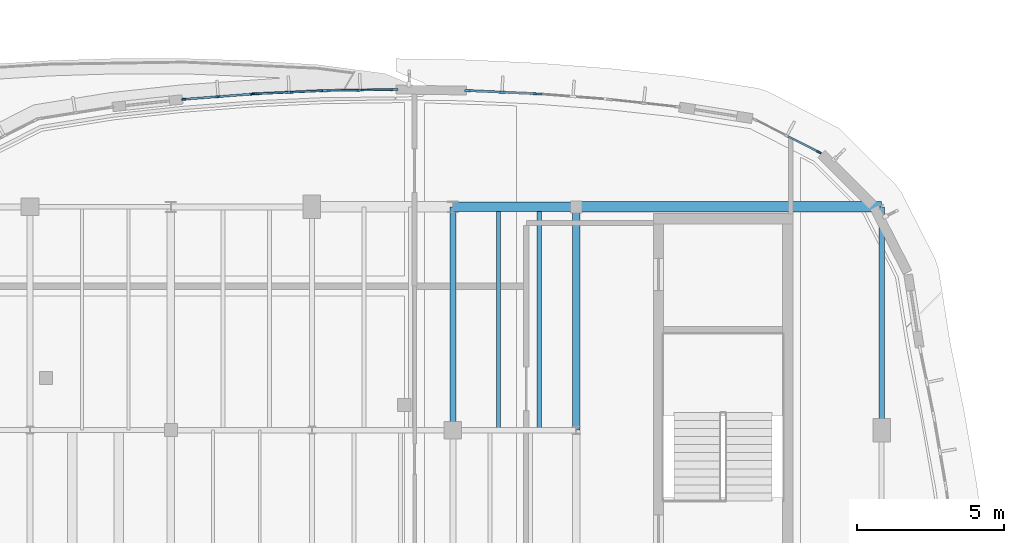
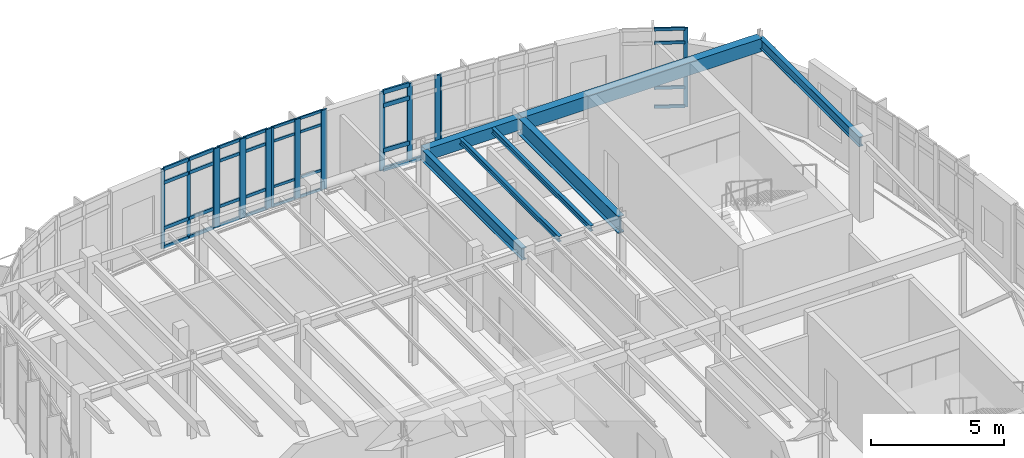
# One storey, part 55 of 111: 47 members, 7 beams, 6 elements without a shape of their own.
"""IFC4 building model written with IfcOpenShell, lengths in metres."""

import ifcopenshell
import ifcopenshell.guid

model = None  # the IFC model being written
_history = None  # IfcOwnerHistory: only IFC2X3 demands one
_inside = {}  # id of a spatial element -> (the spatial element, [elements in it])
_under = {}  # id of a project, library or spatial element -> (it, [spatial elements below it])
_declared = {}  # id of a project -> (the project, [libraries it declares])
_typed = {}  # id of a type object -> (the type object, [elements of that type])
_made_of = {}  # id of a material, layer set ... -> (it, [elements and type objects made of it])


def new_model(schema):
    """Start an empty IFC model of exactly this schema.

    Asked for "IFC4X3", IfcOpenShell would pick the latest addendum, in which some entities
    have other attributes; the version numbers below select the first issue.
    IFC2X3 requires an IfcOwnerHistory on every rooted entity: one is made here for all.
    """
    global model, _history
    if schema == "IFC4X3":
        model = ifcopenshell.file(schema_version=(4, 3, 0, 0))
    else:
        model = ifcopenshell.file(schema=schema)
    _inside.clear()
    _under.clear()
    _declared.clear()
    _typed.clear()
    _made_of.clear()
    _history = None
    if model.schema == "IFC2X3":
        org = make("IfcOrganization", Name="unknown")
        user = make(
            "IfcPersonAndOrganization",
            ThePerson=make("IfcPerson", FamilyName="unknown"),
            TheOrganization=org,
        )
        app = make(
            "IfcApplication",
            ApplicationDeveloper=org,
            Version="unknown",
            ApplicationFullName="unknown",
            ApplicationIdentifier="unknown",
        )
        _history = make(
            "IfcOwnerHistory",
            OwningUser=user,
            OwningApplication=app,
            ChangeAction="ADDED",
            CreationDate=0,
        )
    return model


def make(cls, **values):
    """One entity of the class cls with the attributes given. An attribute that is None is left unset."""
    return model.create_entity(
        cls, **{name: value for name, value in values.items() if value is not None}
    )


def rooted(cls, **values):
    """An entity with a GlobalId (a new one), such as an element, a storey or a relation."""
    return make(cls, GlobalId=ifcopenshell.guid.new(), OwnerHistory=_history, **values)


def si_unit(unit_type, name, prefix=None):
    """IfcSIUnit, for example si_unit("LENGTHUNIT", "METRE", prefix="MILLI")."""
    return make("IfcSIUnit", UnitType=unit_type, Prefix=prefix, Name=name)


def assignment(units):
    """IfcUnitAssignment: the units of a project."""
    return None if units is None else make("IfcUnitAssignment", Units=units)


def point(xyz):
    """IfcCartesianPoint."""
    return None if xyz is None else make("IfcCartesianPoint", Coordinates=xyz)


def direction(xyz):
    """IfcDirection."""
    return None if xyz is None else make("IfcDirection", DirectionRatios=xyz)


def frame(location, z_axis=None, x_axis=None):
    """IfcAxis2Placement3D, a coordinate frame: its origin and axes. An axis left out is left unset."""
    return make(
        "IfcAxis2Placement3D",
        Location=point(location),
        Axis=direction(z_axis),
        RefDirection=direction(x_axis),
    )


def frame_2d(location, x_axis=None):
    """IfcAxis2Placement2D, a coordinate frame in the plane: its origin and x axis."""
    return make(
        "IfcAxis2Placement2D", Location=point(location), RefDirection=direction(x_axis)
    )


def origin():
    """The frame at (0, 0, 0) with its axes left unset."""
    return frame((0.0, 0.0, 0.0))


def origin_2d():
    """The frame at (0, 0) in the plane with its x axis left unset."""
    return frame_2d((0.0, 0.0))


def place(relative_to, where):
    """IfcLocalPlacement: puts the frame where relative to a parent placement (None: the world)."""
    return make(
        "IfcLocalPlacement", PlacementRelTo=relative_to, RelativePlacement=where
    )


def context(
    kind, dimensions, precision=None, world=None, true_north=None, identifier=None
):
    """IfcGeometricRepresentationContext, for example the 3D "Model" context."""
    return make(
        "IfcGeometricRepresentationContext",
        ContextIdentifier=identifier,
        ContextType=kind,
        CoordinateSpaceDimension=dimensions,
        Precision=precision,
        WorldCoordinateSystem=world,
        TrueNorth=true_north,
    )


def subcontext(parent, identifier, kind, view, scale=None):
    """IfcGeometricRepresentationSubContext, for example "Body" below "Model"."""
    return make(
        "IfcGeometricRepresentationSubContext",
        ContextIdentifier=identifier,
        ContextType=kind,
        ParentContext=parent,
        TargetScale=scale,
        TargetView=view,
    )


def project(units=None, contexts=None):
    """IfcProject with its units and contexts."""
    return rooted(
        "IfcProject",
        Name="project",
        RepresentationContexts=contexts,
        UnitsInContext=assignment(units),
    )


def spatial(cls, under=None, at=None, **own):
    """A site, building, storey or space (cls), placed at a placement, below another one or the project."""
    s = rooted(cls, ObjectPlacement=at, **own)
    if under is not None:
        _under.setdefault(under.id(), (under, []))[1].append(s)
    return s


def profile(cls, at=None, kind="AREA", **sizes):
    """A parametric profile (cls). Its sizes go by their IFC names, for example OverallWidth=200.0."""
    return make(cls, ProfileType=kind, Position=at, **sizes)


def rectangle(**sizes):
    """IfcRectangleProfileDef."""
    return profile("IfcRectangleProfileDef", **sizes)


def i_section(**sizes):
    """IfcIShapeProfileDef."""
    return profile("IfcIShapeProfileDef", **sizes)


def extrude(swept, where, along, depth):
    """IfcExtrudedAreaSolid: the profile swept, set in the frame where, extruded along a direction by depth."""
    return make(
        "IfcExtrudedAreaSolid",
        SweptArea=swept,
        Position=where,
        ExtrudedDirection=direction(along),
        Depth=depth,
    )


def shape(context_of_items, identifier, shape_type, items):
    """IfcShapeRepresentation: the items that make up one representation, for example the "Body"."""
    return make(
        "IfcShapeRepresentation",
        ContextOfItems=context_of_items,
        RepresentationIdentifier=identifier,
        RepresentationType=shape_type,
        Items=items,
    )


def material(Name=None, Category=None):
    """IfcMaterial."""
    return make("IfcMaterial", Name=Name, Category=Category)


def material_profile(
    of_material, cross_section, Name=None, Category=None, Priority=None
):
    """IfcMaterialProfile: a cross section and its material."""
    return make(
        "IfcMaterialProfile",
        Name=Name,
        Material=of_material,
        Profile=cross_section,
        Priority=Priority,
        Category=Category,
    )


def profile_set(profiles, Name=None, composite=None):
    """IfcMaterialProfileSet."""
    return make(
        "IfcMaterialProfileSet",
        Name=Name,
        MaterialProfiles=profiles,
        CompositeProfile=composite,
    )


def made_of(thing, what):
    """Note that an element or type object is made of a material, layer set ...; save() writes the relation."""
    if what is not None:
        _made_of.setdefault(what.id(), (what, []))[1].append(thing)
    return thing


def type_object(cls, material=None, **own):
    """A type object (cls), such as IfcWallType, which elements share."""
    return made_of(rooted(cls, **own), material)


def element(
    cls,
    number,
    at=None,
    inside=None,
    cuts=None,
    type_object=None,
    material=None,
    context=None,
    identifier="Body",
    shape_type=None,
    held_by="IfcProductDefinitionShape",
    body=None,
    shapes=None,
    **own,
):
    """One element of the class cls, such as IfcWall. Its Tag is "e" and its number.

    at: its placement. inside: the storey or other place that contains it. cuts: it is an
    opening in that element (IfcRelVoidsElement). A single representation is given by context,
    identifier, shape_type and body (its items); several are given by shapes. held_by: the class
    of the entity that holds the representations. save() writes the other relations.
    """
    e = rooted(cls, Tag="e%d" % number, ObjectPlacement=at, **own)
    if body is not None:
        shapes = [shape(context, identifier, shape_type, body)]
    if shapes is not None:
        e.Representation = make(held_by, Representations=shapes)
    if inside is not None:
        _inside.setdefault(inside.id(), (inside, []))[1].append(e)
    if cuts is not None:
        rooted(
            "IfcRelVoidsElement", RelatingBuildingElement=cuts, RelatedOpeningElement=e
        )
    if type_object is not None:
        _typed.setdefault(type_object.id(), (type_object, []))[1].append(e)
    return made_of(e, material)


def aggregate(whole, parts):
    """IfcRelAggregates: a whole, such as a stair, and the parts it consists of."""
    return rooted("IfcRelAggregates", RelatingObject=whole, RelatedObjects=parts)


def save(model, path):
    """Write the relations noted so far, then the file.

    IfcRelAggregates (storeys below a building ...), IfcRelContainedInSpatialStructure (elements
    in a storey), IfcRelDefinesByType, IfcRelAssociatesMaterial and IfcRelDeclares: one each for
    every whole, place, type object, material and project.
    """
    for whole, parts in _under.values():
        aggregate(whole, parts)
    for where, things in _inside.values():
        rooted(
            "IfcRelContainedInSpatialStructure",
            RelatedElements=things,
            RelatingStructure=where,
        )
    for kind, things in _typed.values():
        rooted("IfcRelDefinesByType", RelatedObjects=things, RelatingType=kind)
    for what, things in _made_of.values():
        rooted("IfcRelAssociatesMaterial", RelatedObjects=things, RelatingMaterial=what)
    for by, libraries in _declared.values():
        rooted("IfcRelDeclares", RelatingContext=by, RelatedDefinitions=libraries)
    model.write(path)


model = new_model("IFC4")

# Units and contexts
model_context = context("Model", 3, precision=1e-05, world=origin(), true_north=direction((0.0, 1.0)))
body_context = subcontext(model_context, "Body", "Model", "MODEL_VIEW")
ifc_project = project(units=[si_unit("LENGTHUNIT", "METRE"), si_unit("AREAUNIT", "SQUARE_METRE"), si_unit("VOLUMEUNIT", "CUBIC_METRE"), si_unit("PLANEANGLEUNIT", "RADIAN"), si_unit("MASSUNIT", "GRAM", prefix="KILO")], contexts=[model_context])

# Site, building, storey
site_placement = place(None, origin())
site = spatial("IfcSite", under=ifc_project, at=site_placement, CompositionType="ELEMENT")
building_placement = place(site_placement, origin())
building = spatial("IfcBuilding", under=site, at=building_placement, Name="Corveleigh Park Community Centre", CompositionType="ELEMENT")
storey_placement = place(building_placement, frame((0.0, 0.0, 4.800048828125)))
storey = spatial("IfcBuildingStorey", under=building, at=storey_placement, Name="L01", CompositionType="ELEMENT", Elevation=4.800048828125)

# Beams
ifc_material_1 = material(Name="Steel S355", Category="steel")
ifc_material_profile_1 = material_profile(ifc_material_1, i_section(OverallWidth=0.14599609375, OverallDepth=0.25146484375, WebThickness=0.006103515625, FlangeThickness=0.008544921875, at=origin_2d()), Name="UKB 254x146x31", Category="steel")
ifc_profile_set_1 = profile_set([ifc_material_profile_1], Name="Steel S355")
beam_type_1 = type_object("IfcBeamType", Name="BM-STL-UKB254x31", PredefinedType="JOIST", material=ifc_profile_set_1)
for number, where, z_axis, x_axis, name in (
    (1, (155.35400390625, 96.60498046875, 3.486328125), (0.0, 1.0, 0.0), (-1.0, 0.0, 0.0), "Secondary floor joist"),
    (2, (156.739990234375, 96.60498046875, 3.486328125), (0.0, 1.0, 0.0), (-1.0, 0.0, 0.0), "Secondary floor joist"),
):
    element("IfcBeam", number, at=place(storey_placement, frame(where, z_axis=z_axis, x_axis=x_axis)), inside=storey, type_object=beam_type_1, Name=name, PredefinedType="JOIST", context=body_context, shape_type="SweptSolid", body=[
        extrude(i_section(OverallWidth=0.14599609375, OverallDepth=0.25146484375, WebThickness=0.006103515625, FlangeThickness=0.008544921875, at=origin_2d()), origin(), (0.0, 0.0, 1.0), 7.590087890625),
    ])
ifc_material_profile_2 = material_profile(ifc_material_1, i_section(OverallWidth=0.18994140625, OverallDepth=0.453369140625, WebThickness=0.008544921875, FlangeThickness=0.0126953125, at=origin_2d()), Name="UKB 457x191x67", Category="steel")
ifc_profile_set_2 = profile_set([ifc_material_profile_2], Name="Steel S355")
beam_type_2 = type_object("IfcBeamType", Name="BM-STL-UKB457x67", PredefinedType="BEAM", material=ifc_profile_set_2)
beam_1_placement = place(storey_placement, frame((168.39990234375, 96.60498046875, 3.38525390625), z_axis=(0.0, 1.0, 0.0), x_axis=(-1.0, 0.0, 0.0)))
element("IfcBeam", 3, at=beam_1_placement, inside=storey, type_object=beam_type_2, Name="V4 Girder Y", PredefinedType="BEAM", context=body_context, shape_type="SweptSolid", body=[
    extrude(i_section(OverallWidth=0.18994140625, OverallDepth=0.453369140625, WebThickness=0.008544921875, FlangeThickness=0.0126953125, at=origin_2d()), origin(), (0.0, 0.0, 1.0), 7.590087890625),
])
ifc_material_profile_3 = material_profile(ifc_material_1, i_section(OverallWidth=0.2099609375, OverallDepth=0.53662109375, WebThickness=0.0107421875, FlangeThickness=0.017333984375, at=origin_2d()), Name="UKB 533x210x101", Category="steel")
ifc_profile_set_3 = profile_set([ifc_material_profile_3], Name="Steel S355")
beam_type_3 = type_object("IfcBeamType", Name="BM-STL-UKB533x101", PredefinedType="BEAM", material=ifc_profile_set_3)
beam_2_placement = place(storey_placement, frame((153.800048828125, 96.60498046875, 3.34375), z_axis=(0.0, 1.0, 0.0), x_axis=(-1.0, 0.0, 0.0)))
element("IfcBeam", 4, at=beam_2_placement, inside=storey, type_object=beam_type_3, Name="V4 Girder Y", PredefinedType="BEAM", context=body_context, shape_type="SweptSolid", body=[
    extrude(i_section(OverallWidth=0.2099609375, OverallDepth=0.53662109375, WebThickness=0.0107421875, FlangeThickness=0.017333984375, at=origin_2d()), origin(), (0.0, 0.0, 1.0), 7.590087890625),
])
ifc_material_profile_4 = material_profile(ifc_material_1, i_section(OverallWidth=0.2666015625, OverallDepth=0.76220703125, WebThickness=0.014404296875, FlangeThickness=0.021484375, at=origin_2d()), Name="UKB 762x267x173", Category="steel")
ifc_profile_set_4 = profile_set([ifc_material_profile_4], Name="Steel S355")
beam_type_4 = type_object("IfcBeamType", Name="BM-STL-UKB762x173", PredefinedType="BEAM", material=ifc_profile_set_4)
beam_3_placement = place(storey_placement, frame((158.0, 96.60498046875, 3.23095703125), z_axis=(0.0, 1.0, 0.0), x_axis=(-1.0, 0.0, 0.0)))
element("IfcBeam", 5, at=beam_3_placement, inside=storey, type_object=beam_type_4, Name="V4 Girder Y", PredefinedType="BEAM", context=body_context, shape_type="SweptSolid", body=[
    extrude(i_section(OverallWidth=0.2666015625, OverallDepth=0.76220703125, WebThickness=0.014404296875, FlangeThickness=0.021484375, at=origin_2d()), origin(), (0.0, 0.0, 1.0), 7.590087890625),
])

# Curtain wall, member
ifc_material_2 = material(Name="Anodised aluminium 6063-T6", Category="aluminium")
curtain_wall_type = type_object("IfcCurtainWallType", Name="CW-SYS-V4-L01", PredefinedType="NOTDEFINED", material=ifc_material_2)
curtain_wall_1_placement = place(storey_placement, origin())
curtain_wall_1 = element("IfcCurtainWall", 6, at=curtain_wall_1_placement, inside=storey, type_object=curtain_wall_type, Name="V4 L01 Curtain Wall 277", PredefinedType="NOTDEFINED")
ifc_material_profile_5 = material_profile(ifc_material_2, rectangle(XDim=0.06005859375, YDim=0.159912109375, at=origin_2d()), Name="ALU-M60x160", Category="aluminium")
ifc_profile_set_5 = profile_set([ifc_material_profile_5], Name="Anodised aluminium 6063-T6")
member_type_1 = type_object("IfcMemberType", Name="CWM-60x160", PredefinedType="MULLION", material=ifc_profile_set_5)
member_1_placement = place(storey_placement, frame((166.25927734375, 106.064697265625, 0.0), z_axis=(0.0, 0.0, 1.0), x_axis=(0.454268707511, 0.89086471553, 0.0)))
member_1 = element("IfcMember", 7, at=member_1_placement, type_object=member_type_1, Name="CW08 mullion 3", PredefinedType="MULLION", context=body_context, shape_type="SweptSolid", body=[
    extrude(rectangle(XDim=0.06005859375, YDim=0.159912109375, at=origin_2d()), origin(), (0.0, 0.0, 1.0), 3.612060546875),
])

# Curtain wall, members
curtain_wall_2_placement = place(storey_placement, origin())
curtain_wall_2 = element("IfcCurtainWall", 8, at=curtain_wall_2_placement, inside=storey, type_object=curtain_wall_type, Name="V4 L01 Curtain Wall 283", PredefinedType="NOTDEFINED")
member_2_placement = place(storey_placement, frame((144.642822265625, 107.8642578125, 0.0), z_axis=(0.0, 0.0, 1.0), x_axis=(-0.076632801378, 0.997059383263, 0.0)))
member_2 = element("IfcMember", 9, at=member_2_placement, type_object=member_type_1, Name="CW08 mullion 1", PredefinedType="MULLION", context=body_context, shape_type="SweptSolid", body=[
    extrude(rectangle(XDim=0.06005859375, YDim=0.159912109375, at=origin_2d()), origin(), (0.0, 0.0, 1.0), 3.636962890625),
])
member_3_placement = place(storey_placement, frame((145.81005859375, 107.9541015625, 0.0), z_axis=(0.0, 0.0, 1.0), x_axis=(-0.076632801378, 0.997059383263, 0.0)))
member_3 = element("IfcMember", 10, at=member_3_placement, type_object=member_type_1, Name="CW08 mullion 2", PredefinedType="MULLION", context=body_context, shape_type="SweptSolid", body=[
    extrude(rectangle(XDim=0.06005859375, YDim=0.159912109375, at=origin_2d()), origin(), (0.0, 0.0, 1.0), 3.636962890625),
])
member_4_placement = place(storey_placement, frame((146.97705078125, 108.043701171875, 0.0), z_axis=(0.0, 0.0, 1.0), x_axis=(-0.076632801378, 0.997059383263, 0.0)))
member_4 = element("IfcMember", 11, at=member_4_placement, type_object=member_type_1, Name="CW08 mullion 3", PredefinedType="MULLION", context=body_context, shape_type="SweptSolid", body=[
    extrude(rectangle(XDim=0.06005859375, YDim=0.159912109375, at=origin_2d()), origin(), (0.0, 0.0, 1.0), 3.636962890625),
])

# Curtain wall, member
curtain_wall_3_placement = place(storey_placement, origin())
curtain_wall_3 = element("IfcCurtainWall", 12, at=curtain_wall_3_placement, inside=storey, type_object=curtain_wall_type, Name="V4 L01 Curtain Wall 279", PredefinedType="NOTDEFINED")
ifc_material_profile_6 = material_profile(ifc_material_2, rectangle(XDim=0.070068359375, YDim=0.199951171875, at=origin_2d()), Name="ALU-M70x200", Category="aluminium")
ifc_profile_set_6 = profile_set([ifc_material_profile_6], Name="Anodised aluminium 6063-T6")
member_type_2 = type_object("IfcMemberType", Name="CWM-70x200", PredefinedType="MULLION", material=ifc_profile_set_6)
member_5_placement = place(storey_placement, frame((156.727783203125, 108.043212890625, 0.0), z_axis=(0.0, 0.0, 1.0), x_axis=(0.076632801378, 0.997059383263, 0.0)))
member_5 = element("IfcMember", 13, at=member_5_placement, type_object=member_type_2, Name="CW08 mullion 1", PredefinedType="MULLION", context=body_context, shape_type="SweptSolid", body=[
    extrude(rectangle(XDim=0.070068359375, YDim=0.199951171875, at=origin_2d()), origin(), (0.0, 0.0, 1.0), 3.612060546875),
])
aggregate(curtain_wall_3, [member_5])

# Curtain wall, members
curtain_wall_4_placement = place(storey_placement, origin())
curtain_wall_4 = element("IfcCurtainWall", 14, at=curtain_wall_4_placement, inside=storey, type_object=curtain_wall_type, Name="V4 L01 Curtain Wall 280", PredefinedType="NOTDEFINED")
ifc_material_profile_7 = material_profile(ifc_material_2, rectangle(XDim=0.074951171875, YDim=0.219970703125, at=origin_2d()), Name="ALU-M75x220", Category="aluminium")
ifc_profile_set_7 = profile_set([ifc_material_profile_7], Name="Anodised aluminium 6063-T6")
member_type_3 = type_object("IfcMemberType", Name="CWM-75x220", PredefinedType="MULLION", material=ifc_profile_set_7)
member_6_placement = place(storey_placement, frame((154.314453125, 108.1572265625, 0.0), z_axis=(0.0, 0.0, 1.0), x_axis=(0.046654729122, 0.998911075247, 0.0)))
member_6 = element("IfcMember", 15, at=member_6_placement, type_object=member_type_3, Name="CW08 mullion 1", PredefinedType="MULLION", context=body_context, shape_type="SweptSolid", body=[
    extrude(rectangle(XDim=0.074951171875, YDim=0.219970703125, at=origin_2d()), origin(), (0.0, 0.0, 1.0), 3.612060546875),
])
member_7_placement = place(storey_placement, frame((155.47607421875, 108.10302734375, 0.0), z_axis=(0.0, 0.0, 1.0), x_axis=(0.046654729122, 0.998911075247, 0.0)))
member_7 = element("IfcMember", 16, at=member_7_placement, type_object=member_type_3, Name="CW08 mullion 2", PredefinedType="MULLION", context=body_context, shape_type="SweptSolid", body=[
    extrude(rectangle(XDim=0.074951171875, YDim=0.219970703125, at=origin_2d()), origin(), (0.0, 0.0, 1.0), 3.612060546875),
])
member_8_placement = place(storey_placement, frame((156.637451171875, 108.048828125, 0.0), z_axis=(0.0, 0.0, 1.0), x_axis=(0.046654729122, 0.998911075247, 0.0)))
member_8 = element("IfcMember", 17, at=member_8_placement, type_object=member_type_3, Name="CW08 mullion 3", PredefinedType="MULLION", context=body_context, shape_type="SweptSolid", body=[
    extrude(rectangle(XDim=0.074951171875, YDim=0.219970703125, at=origin_2d()), origin(), (0.0, 0.0, 1.0), 3.612060546875),
])

curtain_wall_5_placement = place(storey_placement, origin())
curtain_wall_5 = element("IfcCurtainWall", 18, at=curtain_wall_5_placement, inside=storey, type_object=curtain_wall_type, Name="V4 L01 Curtain Wall 281", PredefinedType="NOTDEFINED")
ifc_material_profile_8 = material_profile(ifc_material_2, rectangle(XDim=0.080078125, YDim=0.25, at=origin_2d()), Name="ALU-M80x250", Category="aluminium")
ifc_profile_set_8 = profile_set([ifc_material_profile_8], Name="Anodised aluminium 6063-T6")
member_type_4 = type_object("IfcMemberType", Name="CWM-80x250", PredefinedType="MULLION", material=ifc_profile_set_8)
member_9_placement = place(storey_placement, frame((149.48095703125, 108.15966796875, 0.0), z_axis=(0.0, 0.0, 1.0), x_axis=(-0.01541483492, 0.999881184374, 0.0)))
member_9 = element("IfcMember", 19, at=member_9_placement, type_object=member_type_4, Name="CW08 mullion 1", PredefinedType="MULLION", context=body_context, shape_type="SweptSolid", body=[
    extrude(rectangle(XDim=0.080078125, YDim=0.25, at=origin_2d()), origin(), (0.0, 0.0, 1.0), 3.636962890625),
])
member_10_placement = place(storey_placement, frame((150.64111328125, 108.177490234375, 0.0), z_axis=(0.0, 0.0, 1.0), x_axis=(-0.01541483492, 0.999881184374, 0.0)))
member_10 = element("IfcMember", 20, at=member_10_placement, type_object=member_type_4, Name="CW08 mullion 2", PredefinedType="MULLION", context=body_context, shape_type="SweptSolid", body=[
    extrude(rectangle(XDim=0.080078125, YDim=0.25, at=origin_2d()), origin(), (0.0, 0.0, 1.0), 3.636962890625),
])
member_11_placement = place(storey_placement, frame((151.801025390625, 108.1953125, 0.0), z_axis=(0.0, 0.0, 1.0), x_axis=(-0.01541483492, 0.999881184374, 0.0)))
member_11 = element("IfcMember", 21, at=member_11_placement, type_object=member_type_4, Name="CW08 mullion 3", PredefinedType="MULLION", context=body_context, shape_type="SweptSolid", body=[
    extrude(rectangle(XDim=0.080078125, YDim=0.25, at=origin_2d()), origin(), (0.0, 0.0, 1.0), 3.636962890625),
])

curtain_wall_6_placement = place(storey_placement, origin())
curtain_wall_6 = element("IfcCurtainWall", 22, at=curtain_wall_6_placement, inside=storey, type_object=curtain_wall_type, Name="V4 L01 Curtain Wall 282", PredefinedType="NOTDEFINED")
ifc_material_profile_9 = material_profile(ifc_material_2, rectangle(XDim=0.0849609375, YDim=0.27490234375, at=origin_2d()), Name="ALU-M85x275", Category="aluminium")
ifc_profile_set_9 = profile_set([ifc_material_profile_9], Name="Anodised aluminium 6063-T6")
member_type_5 = type_object("IfcMemberType", Name="CWM-85x275", PredefinedType="MULLION", material=ifc_profile_set_9)
member_12_placement = place(storey_placement, frame((147.0673828125, 108.049072265625, 0.0), z_axis=(0.0, 0.0, 1.0), x_axis=(-0.046654729122, 0.998911075247, 0.0)))
member_12 = element("IfcMember", 23, at=member_12_placement, type_object=member_type_5, Name="CW08 mullion 1", PredefinedType="MULLION", context=body_context, shape_type="SweptSolid", body=[
    extrude(rectangle(XDim=0.0849609375, YDim=0.27490234375, at=origin_2d()), origin(), (0.0, 0.0, 1.0), 3.636962890625),
])
member_13_placement = place(storey_placement, frame((148.22412109375, 108.10302734375, 0.0), z_axis=(0.0, 0.0, 1.0), x_axis=(-0.046654729122, 0.998911075247, 0.0)))
member_13 = element("IfcMember", 24, at=member_13_placement, type_object=member_type_5, Name="CW08 mullion 2", PredefinedType="MULLION", context=body_context, shape_type="SweptSolid", body=[
    extrude(rectangle(XDim=0.0849609375, YDim=0.27490234375, at=origin_2d()), origin(), (0.0, 0.0, 1.0), 3.636962890625),
])
member_14_placement = place(storey_placement, frame((149.380615234375, 108.156982421875, 0.0), z_axis=(0.0, 0.0, 1.0), x_axis=(-0.046654729122, 0.998911075247, 0.0)))
member_14 = element("IfcMember", 25, at=member_14_placement, type_object=member_type_5, Name="CW08 mullion 3", PredefinedType="MULLION", context=body_context, shape_type="SweptSolid", body=[
    extrude(rectangle(XDim=0.0849609375, YDim=0.27490234375, at=origin_2d()), origin(), (0.0, 0.0, 1.0), 3.636962890625),
])

# Member
ifc_material_profile_10 = material_profile(ifc_material_2, rectangle(XDim=0.06005859375, YDim=0.1201171875, at=origin_2d()), Name="ALU-T60x120", Category="aluminium")
ifc_profile_set_10 = profile_set([ifc_material_profile_10], Name="Anodised aluminium 6063-T6")
member_type_6 = type_object("IfcMemberType", Name="CWT-60x120", PredefinedType="USERDEFINED", material=ifc_profile_set_10)
member_15_placement = place(storey_placement, frame((149.52099609375, 108.16015625, 0.030029296875), z_axis=(0.999878392958, 0.015594848353, 0.0), x_axis=(-0.015594848353, 0.999878392958, 0.0)))
member_15 = element("IfcMember", 26, at=member_15_placement, type_object=member_type_6, Name="CW08 transom 1.1", ObjectType="TRANSOM", PredefinedType="USERDEFINED", context=body_context, shape_type="SweptSolid", body=[
    extrude(rectangle(XDim=0.06005859375, YDim=0.1201171875, at=origin_2d()), origin(), (0.0, 0.0, 1.0), 1.080322265625),
])

member_16_placement = place(storey_placement, frame((149.52099609375, 108.16015625, 0.89990234375), z_axis=(0.999878392958, 0.015594848353, 0.0), x_axis=(-0.015594848353, 0.999878392958, 0.0)))
member_16 = element("IfcMember", 27, at=member_16_placement, type_object=member_type_6, Name="CW08 transom 1.2", ObjectType="TRANSOM", PredefinedType="USERDEFINED", context=body_context, shape_type="SweptSolid", body=[
    extrude(rectangle(XDim=0.06005859375, YDim=0.1201171875, at=origin_2d()), origin(), (0.0, 0.0, 1.0), 1.080322265625),
])

member_17_placement = place(storey_placement, frame((149.52099609375, 108.16015625, 2.987060546875), z_axis=(0.999878392958, 0.015594848353, 0.0), x_axis=(-0.015594848353, 0.999878392958, 0.0)))
member_17 = element("IfcMember", 28, at=member_17_placement, type_object=member_type_6, Name="CW08 transom 1.3", ObjectType="TRANSOM", PredefinedType="USERDEFINED", context=body_context, shape_type="SweptSolid", body=[
    extrude(rectangle(XDim=0.06005859375, YDim=0.1201171875, at=origin_2d()), origin(), (0.0, 0.0, 1.0), 1.080322265625),
])

member_18_placement = place(storey_placement, frame((149.52099609375, 108.16015625, 3.60693359375), z_axis=(0.999878392958, 0.015594848353, 0.0), x_axis=(-0.015594848353, 0.999878392958, 0.0)))
member_18 = element("IfcMember", 29, at=member_18_placement, type_object=member_type_6, Name="CW08 transom 1.4", ObjectType="TRANSOM", PredefinedType="USERDEFINED", context=body_context, shape_type="SweptSolid", body=[
    extrude(rectangle(XDim=0.06005859375, YDim=0.1201171875, at=origin_2d()), origin(), (0.0, 0.0, 1.0), 1.080322265625),
])

member_19_placement = place(storey_placement, frame((150.680908203125, 108.17822265625, 0.030029296875), z_axis=(0.999881891638, 0.015368889835, 0.0), x_axis=(-0.015368889835, 0.999881891638, 0.0)))
member_19 = element("IfcMember", 30, at=member_19_placement, type_object=member_type_6, Name="CW08 transom 2.1", ObjectType="TRANSOM", PredefinedType="USERDEFINED", context=body_context, shape_type="SweptSolid", body=[
    extrude(rectangle(XDim=0.06005859375, YDim=0.1201171875, at=origin_2d()), origin(), (0.0, 0.0, 1.0), 1.080322265625),
])

member_20_placement = place(storey_placement, frame((150.680908203125, 108.17822265625, 0.89990234375), z_axis=(0.999881891638, 0.015368889835, 0.0), x_axis=(-0.015368889835, 0.999881891638, 0.0)))
member_20 = element("IfcMember", 31, at=member_20_placement, type_object=member_type_6, Name="CW08 transom 2.2", ObjectType="TRANSOM", PredefinedType="USERDEFINED", context=body_context, shape_type="SweptSolid", body=[
    extrude(rectangle(XDim=0.06005859375, YDim=0.1201171875, at=origin_2d()), origin(), (0.0, 0.0, 1.0), 1.080322265625),
])

member_21_placement = place(storey_placement, frame((150.680908203125, 108.17822265625, 2.987060546875), z_axis=(0.999881891638, 0.015368889835, 0.0), x_axis=(-0.015368889835, 0.999881891638, 0.0)))
member_21 = element("IfcMember", 32, at=member_21_placement, type_object=member_type_6, Name="CW08 transom 2.3", ObjectType="TRANSOM", PredefinedType="USERDEFINED", context=body_context, shape_type="SweptSolid", body=[
    extrude(rectangle(XDim=0.06005859375, YDim=0.1201171875, at=origin_2d()), origin(), (0.0, 0.0, 1.0), 1.080322265625),
])

member_22_placement = place(storey_placement, frame((150.680908203125, 108.17822265625, 3.60693359375), z_axis=(0.999881891638, 0.015368889835, 0.0), x_axis=(-0.015368889835, 0.999881891638, 0.0)))
member_22 = element("IfcMember", 33, at=member_22_placement, type_object=member_type_6, Name="CW08 transom 2.4", ObjectType="TRANSOM", PredefinedType="USERDEFINED", context=body_context, shape_type="SweptSolid", body=[
    extrude(rectangle(XDim=0.06005859375, YDim=0.1201171875, at=origin_2d()), origin(), (0.0, 0.0, 1.0), 1.080322265625),
])

aggregate(curtain_wall_5, [member_9, member_10, member_11, member_15, member_16, member_17, member_18, member_19, member_20, member_21, member_22])

ifc_material_profile_11 = material_profile(ifc_material_2, rectangle(XDim=0.06494140625, YDim=0.139892578125, at=origin_2d()), Name="ALU-T65x140", Category="aluminium")
ifc_profile_set_11 = profile_set([ifc_material_profile_11], Name="Anodised aluminium 6063-T6")
member_type_7 = type_object("IfcMemberType", Name="CWT-65x140", PredefinedType="USERDEFINED", material=ifc_profile_set_11)
member_23_placement = place(storey_placement, frame((165.20361328125, 106.602783203125, 0.032470703125), z_axis=(0.890976575467, -0.454049272622, 0.0), x_axis=(0.454049272622, 0.890976575467, 0.0)))
member_23 = element("IfcMember", 34, at=member_23_placement, type_object=member_type_7, Name="CW08 transom 2.1", ObjectType="TRANSOM", PredefinedType="USERDEFINED", context=body_context, shape_type="SweptSolid", body=[
    extrude(rectangle(XDim=0.06494140625, YDim=0.139892578125, at=origin_2d()), origin(), (0.0, 0.0, 1.0), 1.155029296875),
])

member_24_placement = place(storey_placement, frame((165.20361328125, 106.602783203125, 0.89990234375), z_axis=(0.890976575467, -0.454049272622, 0.0), x_axis=(0.454049272622, 0.890976575467, 0.0)))
member_24 = element("IfcMember", 35, at=member_24_placement, type_object=member_type_7, Name="CW08 transom 2.2", ObjectType="TRANSOM", PredefinedType="USERDEFINED", context=body_context, shape_type="SweptSolid", body=[
    extrude(rectangle(XDim=0.06494140625, YDim=0.139892578125, at=origin_2d()), origin(), (0.0, 0.0, 1.0), 1.155029296875),
])

member_25_placement = place(storey_placement, frame((165.20361328125, 106.602783203125, 2.9619140625), z_axis=(0.890976575467, -0.454049272622, 0.0), x_axis=(0.454049272622, 0.890976575467, 0.0)))
member_25 = element("IfcMember", 36, at=member_25_placement, type_object=member_type_7, Name="CW08 transom 2.3", ObjectType="TRANSOM", PredefinedType="USERDEFINED", context=body_context, shape_type="SweptSolid", body=[
    extrude(rectangle(XDim=0.06494140625, YDim=0.139892578125, at=origin_2d()), origin(), (0.0, 0.0, 1.0), 1.155029296875),
])

member_26_placement = place(storey_placement, frame((165.20361328125, 106.602783203125, 3.579345703125), z_axis=(0.890976575467, -0.454049272622, 0.0), x_axis=(0.454049272622, 0.890976575467, 0.0)))
member_26 = element("IfcMember", 37, at=member_26_placement, type_object=member_type_7, Name="CW08 transom 2.4", ObjectType="TRANSOM", PredefinedType="USERDEFINED", context=body_context, shape_type="SweptSolid", body=[
    extrude(rectangle(XDim=0.06494140625, YDim=0.139892578125, at=origin_2d()), origin(), (0.0, 0.0, 1.0), 1.155029296875),
])

aggregate(curtain_wall_1, [member_1, member_23, member_24, member_25, member_26])

member_27_placement = place(storey_placement, frame((147.10986328125, 108.051025390625, 0.032470703125), z_axis=(0.998911473206, 0.046646207747, 0.0), x_axis=(-0.046646207747, 0.998911473206, 0.0)))
member_27 = element("IfcMember", 38, at=member_27_placement, type_object=member_type_7, Name="CW08 transom 1.1", ObjectType="TRANSOM", PredefinedType="USERDEFINED", context=body_context, shape_type="SweptSolid", body=[
    extrude(rectangle(XDim=0.06494140625, YDim=0.139892578125, at=origin_2d()), origin(), (0.0, 0.0, 1.0), 1.072998046875),
])

member_28_placement = place(storey_placement, frame((147.10986328125, 108.051025390625, 0.89990234375), z_axis=(0.998911473206, 0.046646207747, 0.0), x_axis=(-0.046646207747, 0.998911473206, 0.0)))
member_28 = element("IfcMember", 39, at=member_28_placement, type_object=member_type_7, Name="CW08 transom 1.2", ObjectType="TRANSOM", PredefinedType="USERDEFINED", context=body_context, shape_type="SweptSolid", body=[
    extrude(rectangle(XDim=0.06494140625, YDim=0.139892578125, at=origin_2d()), origin(), (0.0, 0.0, 1.0), 1.072998046875),
])

member_29_placement = place(storey_placement, frame((147.10986328125, 108.051025390625, 2.987060546875), z_axis=(0.998911473206, 0.046646207747, 0.0), x_axis=(-0.046646207747, 0.998911473206, 0.0)))
member_29 = element("IfcMember", 40, at=member_29_placement, type_object=member_type_7, Name="CW08 transom 1.3", ObjectType="TRANSOM", PredefinedType="USERDEFINED", context=body_context, shape_type="SweptSolid", body=[
    extrude(rectangle(XDim=0.06494140625, YDim=0.139892578125, at=origin_2d()), origin(), (0.0, 0.0, 1.0), 1.072998046875),
])

member_30_placement = place(storey_placement, frame((147.10986328125, 108.051025390625, 3.6044921875), z_axis=(0.998911473206, 0.046646207747, 0.0), x_axis=(-0.046646207747, 0.998911473206, 0.0)))
member_30 = element("IfcMember", 41, at=member_30_placement, type_object=member_type_7, Name="CW08 transom 1.4", ObjectType="TRANSOM", PredefinedType="USERDEFINED", context=body_context, shape_type="SweptSolid", body=[
    extrude(rectangle(XDim=0.06494140625, YDim=0.139892578125, at=origin_2d()), origin(), (0.0, 0.0, 1.0), 1.072998046875),
])

member_31_placement = place(storey_placement, frame((148.266357421875, 108.10498046875, 0.032470703125), z_axis=(0.998911473206, 0.046646207747, 0.0), x_axis=(-0.046646207747, 0.998911473206, 0.0)))
member_31 = element("IfcMember", 42, at=member_31_placement, type_object=member_type_7, Name="CW08 transom 2.1", ObjectType="TRANSOM", PredefinedType="USERDEFINED", context=body_context, shape_type="SweptSolid", body=[
    extrude(rectangle(XDim=0.06494140625, YDim=0.139892578125, at=origin_2d()), origin(), (0.0, 0.0, 1.0), 1.072998046875),
])

member_32_placement = place(storey_placement, frame((148.266357421875, 108.10498046875, 0.89990234375), z_axis=(0.998911473206, 0.046646207747, 0.0), x_axis=(-0.046646207747, 0.998911473206, 0.0)))
member_32 = element("IfcMember", 43, at=member_32_placement, type_object=member_type_7, Name="CW08 transom 2.2", ObjectType="TRANSOM", PredefinedType="USERDEFINED", context=body_context, shape_type="SweptSolid", body=[
    extrude(rectangle(XDim=0.06494140625, YDim=0.139892578125, at=origin_2d()), origin(), (0.0, 0.0, 1.0), 1.072998046875),
])

member_33_placement = place(storey_placement, frame((148.266357421875, 108.10498046875, 2.987060546875), z_axis=(0.998911473206, 0.046646207747, 0.0), x_axis=(-0.046646207747, 0.998911473206, 0.0)))
member_33 = element("IfcMember", 44, at=member_33_placement, type_object=member_type_7, Name="CW08 transom 2.3", ObjectType="TRANSOM", PredefinedType="USERDEFINED", context=body_context, shape_type="SweptSolid", body=[
    extrude(rectangle(XDim=0.06494140625, YDim=0.139892578125, at=origin_2d()), origin(), (0.0, 0.0, 1.0), 1.072998046875),
])

member_34_placement = place(storey_placement, frame((148.266357421875, 108.10498046875, 3.6044921875), z_axis=(0.998911473206, 0.046646207747, 0.0), x_axis=(-0.046646207747, 0.998911473206, 0.0)))
member_34 = element("IfcMember", 45, at=member_34_placement, type_object=member_type_7, Name="CW08 transom 2.4", ObjectType="TRANSOM", PredefinedType="USERDEFINED", context=body_context, shape_type="SweptSolid", body=[
    extrude(rectangle(XDim=0.06494140625, YDim=0.139892578125, at=origin_2d()), origin(), (0.0, 0.0, 1.0), 1.072998046875),
])

aggregate(curtain_wall_6, [member_12, member_13, member_14, member_27, member_28, member_29, member_30, member_31, member_32, member_33, member_34])

ifc_material_profile_12 = material_profile(ifc_material_2, rectangle(XDim=0.070068359375, YDim=0.155029296875, at=origin_2d()), Name="ALU-T70x155", Category="aluminium")
ifc_profile_set_12 = profile_set([ifc_material_profile_12], Name="Anodised aluminium 6063-T6")
member_type_8 = type_object("IfcMemberType", Name="CWT-70x155", PredefinedType="USERDEFINED", material=ifc_profile_set_12)
member_35_placement = place(storey_placement, frame((144.6728515625, 107.86669921875, 0.034912109375), z_axis=(0.997068694636, 0.07651155584, 0.0), x_axis=(-0.07651155584, 0.997068694636, 0.0)))
member_35 = element("IfcMember", 46, at=member_35_placement, type_object=member_type_8, Name="CW08 transom 1.1", ObjectType="TRANSOM", PredefinedType="USERDEFINED", context=body_context, shape_type="SweptSolid", body=[
    extrude(rectangle(XDim=0.070068359375, YDim=0.155029296875, at=origin_2d()), origin(), (0.0, 0.0, 1.0), 1.1103515625),
])

member_36_placement = place(storey_placement, frame((144.6728515625, 107.86669921875, 0.89990234375), z_axis=(0.997068694636, 0.07651155584, 0.0), x_axis=(-0.07651155584, 0.997068694636, 0.0)))
member_36 = element("IfcMember", 47, at=member_36_placement, type_object=member_type_8, Name="CW08 transom 1.2", ObjectType="TRANSOM", PredefinedType="USERDEFINED", context=body_context, shape_type="SweptSolid", body=[
    extrude(rectangle(XDim=0.070068359375, YDim=0.155029296875, at=origin_2d()), origin(), (0.0, 0.0, 1.0), 1.1103515625),
])

member_37_placement = place(storey_placement, frame((144.6728515625, 107.86669921875, 2.987060546875), z_axis=(0.997068694636, 0.07651155584, 0.0), x_axis=(-0.07651155584, 0.997068694636, 0.0)))
member_37 = element("IfcMember", 48, at=member_37_placement, type_object=member_type_8, Name="CW08 transom 1.3", ObjectType="TRANSOM", PredefinedType="USERDEFINED", context=body_context, shape_type="SweptSolid", body=[
    extrude(rectangle(XDim=0.070068359375, YDim=0.155029296875, at=origin_2d()), origin(), (0.0, 0.0, 1.0), 1.1103515625),
])

member_38_placement = place(storey_placement, frame((144.6728515625, 107.86669921875, 3.60205078125), z_axis=(0.997068694636, 0.07651155584, 0.0), x_axis=(-0.07651155584, 0.997068694636, 0.0)))
member_38 = element("IfcMember", 49, at=member_38_placement, type_object=member_type_8, Name="CW08 transom 1.4", ObjectType="TRANSOM", PredefinedType="USERDEFINED", context=body_context, shape_type="SweptSolid", body=[
    extrude(rectangle(XDim=0.070068359375, YDim=0.155029296875, at=origin_2d()), origin(), (0.0, 0.0, 1.0), 1.1103515625),
])

member_39_placement = place(storey_placement, frame((145.83984375, 107.956298828125, 0.034912109375), z_axis=(0.997053192366, 0.07671330779, 0.0), x_axis=(-0.07671330779, 0.997053192366, 0.0)))
member_39 = element("IfcMember", 50, at=member_39_placement, type_object=member_type_8, Name="CW08 transom 2.1", ObjectType="TRANSOM", PredefinedType="USERDEFINED", context=body_context, shape_type="SweptSolid", body=[
    extrude(rectangle(XDim=0.070068359375, YDim=0.155029296875, at=origin_2d()), origin(), (0.0, 0.0, 1.0), 1.110595703125),
])

member_40_placement = place(storey_placement, frame((145.83984375, 107.956298828125, 0.89990234375), z_axis=(0.997053192366, 0.07671330779, 0.0), x_axis=(-0.07671330779, 0.997053192366, 0.0)))
member_40 = element("IfcMember", 51, at=member_40_placement, type_object=member_type_8, Name="CW08 transom 2.2", ObjectType="TRANSOM", PredefinedType="USERDEFINED", context=body_context, shape_type="SweptSolid", body=[
    extrude(rectangle(XDim=0.070068359375, YDim=0.155029296875, at=origin_2d()), origin(), (0.0, 0.0, 1.0), 1.110595703125),
])

member_41_placement = place(storey_placement, frame((145.83984375, 107.956298828125, 2.987060546875), z_axis=(0.997053192366, 0.07671330779, 0.0), x_axis=(-0.07671330779, 0.997053192366, 0.0)))
member_41 = element("IfcMember", 52, at=member_41_placement, type_object=member_type_8, Name="CW08 transom 2.3", ObjectType="TRANSOM", PredefinedType="USERDEFINED", context=body_context, shape_type="SweptSolid", body=[
    extrude(rectangle(XDim=0.070068359375, YDim=0.155029296875, at=origin_2d()), origin(), (0.0, 0.0, 1.0), 1.110595703125),
])

member_42_placement = place(storey_placement, frame((145.83984375, 107.956298828125, 3.60205078125), z_axis=(0.997053192366, 0.07671330779, 0.0), x_axis=(-0.07671330779, 0.997053192366, 0.0)))
member_42 = element("IfcMember", 53, at=member_42_placement, type_object=member_type_8, Name="CW08 transom 2.4", ObjectType="TRANSOM", PredefinedType="USERDEFINED", context=body_context, shape_type="SweptSolid", body=[
    extrude(rectangle(XDim=0.070068359375, YDim=0.155029296875, at=origin_2d()), origin(), (0.0, 0.0, 1.0), 1.110595703125),
])

aggregate(curtain_wall_2, [member_2, member_3, member_4, member_35, member_36, member_37, member_38, member_39, member_40, member_41, member_42])

ifc_material_profile_13 = material_profile(ifc_material_2, rectangle(XDim=0.080078125, YDim=0.195068359375, at=origin_2d()), Name="ALU-T80x195", Category="aluminium")
ifc_profile_set_13 = profile_set([ifc_material_profile_13], Name="Anodised aluminium 6063-T6")
member_type_9 = type_object("IfcMemberType", Name="CWT-80x195", PredefinedType="USERDEFINED", material=ifc_profile_set_13)
member_43_placement = place(storey_placement, frame((154.351806640625, 108.155517578125, 0.0400390625), z_axis=(0.998909888579, -0.046680129594, 0.0), x_axis=(0.046680129594, 0.998909888579, 0.0)))
member_43 = element("IfcMember", 54, at=member_43_placement, type_object=member_type_9, Name="CW08 transom 1.1", ObjectType="TRANSOM", PredefinedType="USERDEFINED", context=body_context, shape_type="SweptSolid", body=[
    extrude(rectangle(XDim=0.080078125, YDim=0.195068359375, at=origin_2d()), origin(), (0.0, 0.0, 1.0), 1.087890625),
])

member_44_placement = place(storey_placement, frame((154.351806640625, 108.155517578125, 0.89990234375), z_axis=(0.998909888579, -0.046680129594, 0.0), x_axis=(0.046680129594, 0.998909888579, 0.0)))
member_44 = element("IfcMember", 55, at=member_44_placement, type_object=member_type_9, Name="CW08 transom 1.2", ObjectType="TRANSOM", PredefinedType="USERDEFINED", context=body_context, shape_type="SweptSolid", body=[
    extrude(rectangle(XDim=0.080078125, YDim=0.195068359375, at=origin_2d()), origin(), (0.0, 0.0, 1.0), 1.087890625),
])

member_45_placement = place(storey_placement, frame((154.351806640625, 108.155517578125, 2.9619140625), z_axis=(0.998909888579, -0.046680129594, 0.0), x_axis=(0.046680129594, 0.998909888579, 0.0)))
member_45 = element("IfcMember", 56, at=member_45_placement, type_object=member_type_9, Name="CW08 transom 1.3", ObjectType="TRANSOM", PredefinedType="USERDEFINED", context=body_context, shape_type="SweptSolid", body=[
    extrude(rectangle(XDim=0.080078125, YDim=0.195068359375, at=origin_2d()), origin(), (0.0, 0.0, 1.0), 1.087890625),
])

member_46_placement = place(storey_placement, frame((154.351806640625, 108.155517578125, 3.572021484375), z_axis=(0.998909888579, -0.046680129594, 0.0), x_axis=(0.046680129594, 0.998909888579, 0.0)))
member_46 = element("IfcMember", 57, at=member_46_placement, type_object=member_type_9, Name="CW08 transom 1.4", ObjectType="TRANSOM", PredefinedType="USERDEFINED", context=body_context, shape_type="SweptSolid", body=[
    extrude(rectangle(XDim=0.080078125, YDim=0.195068359375, at=origin_2d()), origin(), (0.0, 0.0, 1.0), 1.087890625),
])

member_47_placement = place(storey_placement, frame((155.513427734375, 108.101318359375, 0.0400390625), z_axis=(0.998909888579, -0.046680129594, 0.0), x_axis=(0.046680129594, 0.998909888579, 0.0)))
member_47 = element("IfcMember", 58, at=member_47_placement, type_object=member_type_9, Name="CW08 transom 2.1", ObjectType="TRANSOM", PredefinedType="USERDEFINED", context=body_context, shape_type="SweptSolid", body=[
    extrude(rectangle(XDim=0.080078125, YDim=0.195068359375, at=origin_2d()), origin(), (0.0, 0.0, 1.0), 1.087890625),
])

aggregate(curtain_wall_4, [member_6, member_7, member_8, member_43, member_44, member_45, member_46, member_47])

# Beams
ifc_material_3 = material(Name="Concrete C40/50", Category="concrete")
ifc_material_profile_14 = material_profile(ifc_material_3, rectangle(XDim=0.320068359375, YDim=0.5400390625, at=origin_2d()), Name="RC-320x540", Category="concrete")
ifc_profile_set_14 = profile_set([ifc_material_profile_14], Name="Concrete C40/50")
beam_type_5 = type_object("IfcBeamType", Name="SP-RC-320x540", PredefinedType="SPANDREL", material=ifc_profile_set_14)
beam_4_placement = place(storey_placement, frame((153.804931640625, 104.199951171875, 3.342041015625), z_axis=(1.0, 0.0, 0.0), x_axis=(0.0, 1.0, 0.0)))
element("IfcBeam", 59, at=beam_4_placement, inside=storey, type_object=beam_type_5, Name="V4 Girder X", PredefinedType="SPANDREL", context=body_context, shape_type="SweptSolid", body=[
    extrude(rectangle(XDim=0.320068359375, YDim=0.5400390625, at=origin_2d()), origin(), (0.0, 0.0, 1.0), 4.190185546875),
])
ifc_material_profile_15 = material_profile(ifc_material_3, rectangle(XDim=0.35009765625, YDim=0.60009765625, at=origin_2d()), Name="RC-350x600", Category="concrete")
ifc_profile_set_15 = profile_set([ifc_material_profile_15], Name="Concrete C40/50")
beam_type_6 = type_object("IfcBeamType", Name="SP-RC-350x600", PredefinedType="SPANDREL", material=ifc_profile_set_15)
beam_5_placement = place(storey_placement, frame((158.0048828125, 104.199951171875, 3.31201171875), z_axis=(1.0, 0.0, 0.0), x_axis=(0.0, 1.0, 0.0)))
element("IfcBeam", 60, at=beam_5_placement, inside=storey, type_object=beam_type_6, Name="V4 Girder X", PredefinedType="SPANDREL", context=body_context, shape_type="SweptSolid", body=[
    extrude(rectangle(XDim=0.35009765625, YDim=0.60009765625, at=origin_2d()), origin(), (0.0, 0.0, 1.0), 10.39013671875),
])

save(model, "model.ifc")
